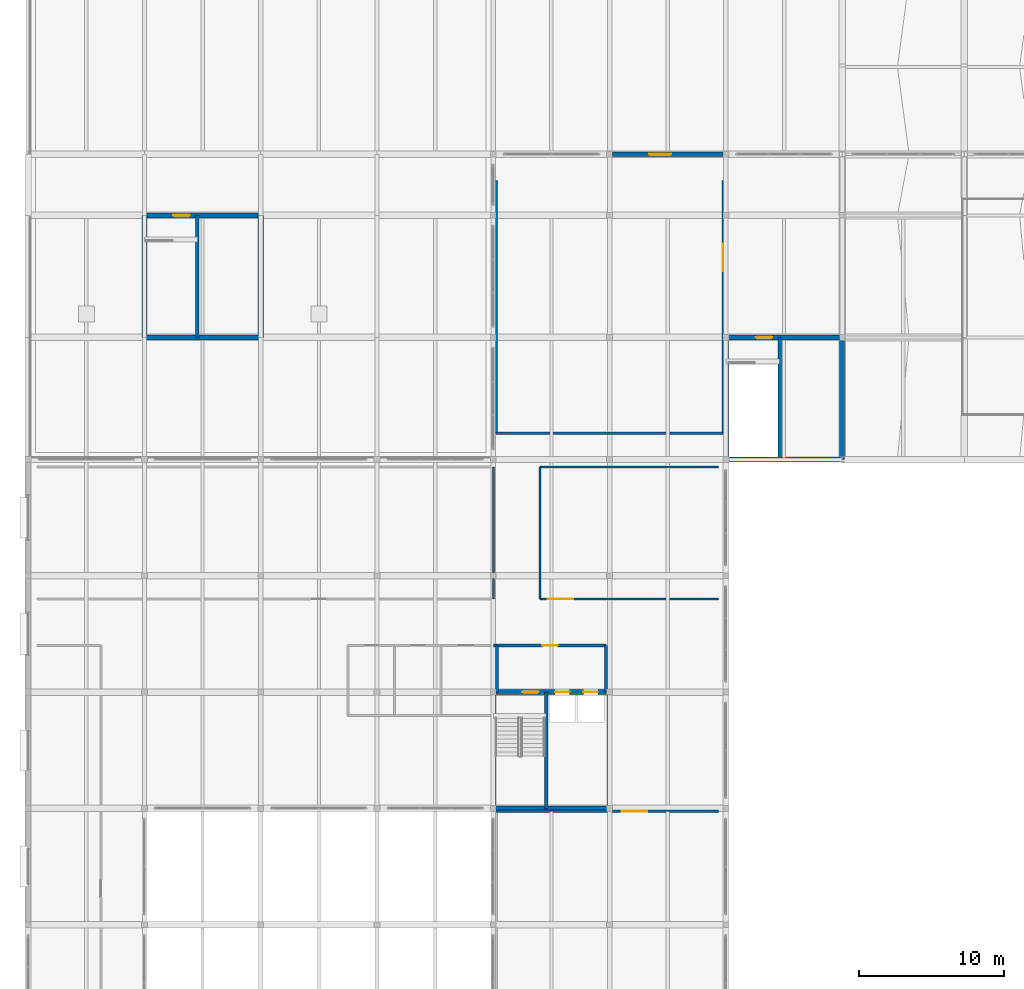
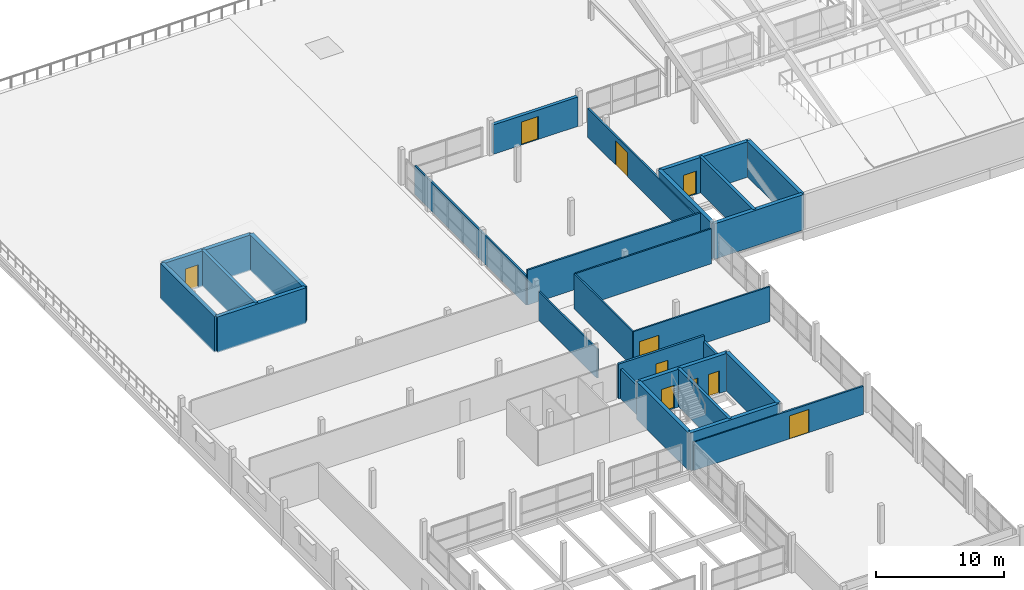
# One storey, part 41 of 51: 27 walls, 10 doors, 10 openings.
"""IFC4 building model written with IfcOpenShell, lengths in metres."""

from ifc_helpers import new_model, si_unit, direction, frame, frame_2d, origin, place, context, subcontext, project, spatial, rectangle, extrude, material, layer, layer_set, type_object, element, fill, save


model = new_model("IFC4")

# Units and contexts
model_context = context("Model", 3, precision=1e-05, world=origin(), true_north=direction((0.0, 1.0)))
body_context = subcontext(model_context, "Body", "Model", "MODEL_VIEW")
ifc_project = project(units=[si_unit("LENGTHUNIT", "METRE"), si_unit("AREAUNIT", "SQUARE_METRE"), si_unit("VOLUMEUNIT", "CUBIC_METRE"), si_unit("PLANEANGLEUNIT", "RADIAN"), si_unit("MASSUNIT", "GRAM", prefix="KILO")], contexts=[model_context])

# Site, building, storey
site_placement = place(None, origin())
site = spatial("IfcSite", under=ifc_project, at=site_placement, CompositionType="ELEMENT")
building_placement = place(site_placement, origin())
building = spatial("IfcBuilding", under=site, at=building_placement, Name="Vharandega Faculty of Natural Sciences", CompositionType="ELEMENT")
storey_placement = place(building_placement, frame((0.0, 0.0, 18.0)))
storey = spatial("IfcBuildingStorey", under=building, at=storey_placement, Name="L04", CompositionType="ELEMENT", Elevation=18.0)

# Walls
ifc_material_1 = material(Name="Concrete C40/50", Category="concrete")
ifc_layer_1 = layer(ifc_material_1, 0.35009765625, Name="Concrete C40/50")
ifc_layer_set_1 = layer_set([ifc_layer_1], Name="Concrete C40/50")
wall_type_1 = type_object("IfcWallType", Name="Core Shear Wall 350", PredefinedType="SHEAR", material=ifc_layer_set_1)
for number, where, z_axis, x_axis, name in (
    (1, (32.0, 40.0, 0.0), (0.0, 0.0, 1.0), (1.0, 0.0, 0.0), "Interior Wall CW-C3-L04-S"),
    (2, (32.0, 40.0, 0.0), (0.0, 0.0, 1.0), (0.0, 1.0, 0.0), "Interior Wall CW-C3-L04-W"),
    (3, (40.0, 40.0, 0.0), (0.0, 0.0, 1.0), (0.0, 1.0, 0.0), "Interior Wall CW-C3-L04-E"),
):
    element("IfcWall", number, at=place(storey_placement, frame(where, z_axis=z_axis, x_axis=x_axis)), inside=storey, type_object=wall_type_1, Name=name, PredefinedType="SHEAR", context=body_context, shape_type="SweptSolid", body=[
        extrude(rectangle(XDim=8.0, YDim=0.35009765625, at=frame_2d((4.0, 0.0))), origin(), (0.0, 0.0, 1.0), 3.60009765625),
    ])

# Wall, openings, doors
wall_1_placement = place(storey_placement, frame((32.0, 48.0, 0.0), z_axis=(0.0, 0.0, 1.0), x_axis=(1.0, 0.0, 0.0)))
wall_1 = element("IfcWall", 4, at=wall_1_placement, inside=storey, type_object=wall_type_1, Name="Interior Wall CW-C3-L04-N", PredefinedType="SHEAR", context=body_context, shape_type="SweptSolid", body=[
    extrude(rectangle(XDim=8.0, YDim=0.35009765625, at=frame_2d((4.0, 0.0))), origin(), (0.0, 0.0, 1.0), 3.60009765625),
])
opening_1_placement = place(wall_1_placement, frame((1.97998046875, 0.0, 0.0)))
opening_1 = element("IfcOpeningElement", 5, at=opening_1_placement, cuts=wall_1, Name="Opening FD1", PredefinedType="OPENING", context=body_context, shape_type="SweptSolid", body=[
    extrude(rectangle(XDim=1.14990234375, YDim=2.199951171875, at=frame_2d((0.574951171875, 1.10009765625))), frame((0.0, 0.18505859375, 0.0), z_axis=(0.0, -1.0, 0.0), x_axis=(1.0, 0.0, 0.0)), (0.0, 0.0, 1.0), 0.3701171875),
])
opening_2_placement = place(wall_1_placement, frame((4.25, 0.0, 0.0)))
opening_2 = element("IfcOpeningElement", 6, at=opening_2_placement, cuts=wall_1, Name="Opening LD-LP3-L04", PredefinedType="OPENING", context=body_context, shape_type="SweptSolid", body=[
    extrude(rectangle(XDim=1.0, YDim=2.14990234375, at=frame_2d((0.5, 1.074951171875))), frame((0.0, 0.18505859375, 0.0), z_axis=(0.0, -1.0, 0.0), x_axis=(1.0, 0.0, 0.0)), (0.0, 0.0, 1.0), 0.3701171875),
])
opening_3_placement = place(wall_1_placement, frame((6.199951171875, 0.0, 0.0)))
opening_3 = element("IfcOpeningElement", 7, at=opening_3_placement, cuts=wall_1, Name="Opening LD-LP4-L04", PredefinedType="OPENING", context=body_context, shape_type="SweptSolid", body=[
    extrude(rectangle(XDim=1.0, YDim=2.14990234375, at=frame_2d((0.5, 1.074951171875))), frame((0.0, 0.18505859375, 0.0), z_axis=(0.0, -1.0, 0.0), x_axis=(1.0, 0.0, 0.0)), (0.0, 0.0, 1.0), 0.3701171875),
])
ifc_material_2 = material(Name="Solid-core hardwood timber fire door", Category="wood")
door_type_1 = type_object("IfcDoorType", Name="FD1-STAIR-1150x2200", OperationType="NOTDEFINED", PredefinedType="DOOR", material=ifc_material_2)
door_1_placement = place(opening_1_placement, origin())
door_1 = element("IfcDoor", 8, at=door_1_placement, inside=storey, type_object=door_type_1, Name="Stair ST3 Fire Door FD1", OperationType="SINGLE_SWING_LEFT", OverallHeight=2.199951171875, OverallWidth=1.14990234375, PredefinedType="DOOR", context=body_context, shape_type="SweptSolid", body=[
    extrude(rectangle(XDim=1.14990234375, YDim=2.199951171875, at=frame_2d((0.574951171875, 1.10009765625))), frame((0.0, 0.02490234375, 0.0), z_axis=(0.0, -1.0, 0.0), x_axis=(1.0, 0.0, 0.0)), (0.0, 0.0, 1.0), 0.050048828125),
])
fill(opening_1, door_1)
ifc_material_3 = material(Name="Brushed stainless steel sliding landing door", Category="steel")
door_type_2 = type_object("IfcDoorType", Name="LD2-PAXLIFT-SLIDING-1000x2150", OperationType="DOUBLE_DOOR_SLIDING", PredefinedType="DOOR", material=ifc_material_3)
door_2_placement = place(opening_2_placement, origin())
door_2 = element("IfcDoor", 9, at=door_2_placement, inside=storey, type_object=door_type_2, Name="Lift Landing Door LD-LP3-L04", OperationType="DOUBLE_DOOR_SLIDING", OverallHeight=2.14990234375, OverallWidth=1.0, PredefinedType="DOOR", context=body_context, shape_type="SweptSolid", body=[
    extrude(rectangle(XDim=1.0, YDim=2.14990234375, at=frame_2d((0.5, 1.074951171875))), frame((0.0, 0.02490234375, 0.0), z_axis=(0.0, -1.0, 0.0), x_axis=(1.0, 0.0, 0.0)), (0.0, 0.0, 1.0), 0.050048828125),
])
fill(opening_2, door_2)
door_3_placement = place(opening_3_placement, origin())
door_3 = element("IfcDoor", 10, at=door_3_placement, inside=storey, type_object=door_type_2, Name="Lift Landing Door LD-LP4-L04", OperationType="DOUBLE_DOOR_SLIDING", OverallHeight=2.14990234375, OverallWidth=1.0, PredefinedType="DOOR", context=body_context, shape_type="SweptSolid", body=[
    extrude(rectangle(XDim=1.0, YDim=2.14990234375, at=frame_2d((0.5, 1.074951171875))), frame((0.0, 0.02490234375, 0.0), z_axis=(0.0, -1.0, 0.0), x_axis=(1.0, 0.0, 0.0)), (0.0, 0.0, 1.0), 0.050048828125),
])
fill(opening_3, door_3)

# Walls
wall_2_placement = place(storey_placement, frame((8.0, 72.39990234375, 0.0), z_axis=(0.0, 0.0, 1.0), x_axis=(1.0, 0.0, 0.0)))
element("IfcWall", 11, at=wall_2_placement, inside=storey, type_object=wall_type_1, Name="Interior Wall CW-C4-L04-S", PredefinedType="SHEAR", context=body_context, shape_type="SweptSolid", body=[
    extrude(rectangle(XDim=8.0, YDim=0.35009765625, at=frame_2d((4.0, 0.0))), origin(), (0.0, 0.0, 1.0), 3.39990234375),
])
for number, where, z_axis, x_axis, name in (
    (12, (8.0, 72.39990234375, 0.0), (0.0, 0.0, 1.0), (0.0, 1.0, 0.0), "Interior Wall CW-C4-L04-W"),
    (13, (16.0, 72.39990234375, 0.0), (0.0, 0.0, 1.0), (0.0, 1.0, 0.0), "Interior Wall CW-C4-L04-E"),
):
    element("IfcWall", number, at=place(storey_placement, frame(where, z_axis=z_axis, x_axis=x_axis)), inside=storey, type_object=wall_type_1, Name=name, PredefinedType="SHEAR", context=body_context, shape_type="SweptSolid", body=[
        extrude(rectangle(XDim=8.400146484375, YDim=0.35009765625, at=frame_2d((4.2001953125, 0.0))), origin(), (0.0, 0.0, 1.0), 3.39990234375),
    ])

# Wall, opening, door
wall_3_placement = place(storey_placement, frame((8.0, 80.800048828125, 0.0), z_axis=(0.0, 0.0, 1.0), x_axis=(1.0, 0.0, 0.0)))
wall_3 = element("IfcWall", 14, at=wall_3_placement, inside=storey, type_object=wall_type_1, Name="Interior Wall CW-C4-L04-N", PredefinedType="SHEAR", context=body_context, shape_type="SweptSolid", body=[
    extrude(rectangle(XDim=8.0, YDim=0.35009765625, at=frame_2d((4.0, 0.0))), origin(), (0.0, 0.0, 1.0), 3.39990234375),
])
opening_4_placement = place(wall_3_placement, frame((1.97998046875, 0.0, 0.0)))
opening_4 = element("IfcOpeningElement", 15, at=opening_4_placement, cuts=wall_3, Name="Opening FD1", PredefinedType="OPENING", context=body_context, shape_type="SweptSolid", body=[
    extrude(rectangle(XDim=1.14990234375, YDim=2.199951171875, at=frame_2d((0.574951171875, 1.10009765625))), frame((0.0, 0.18505859375, 0.0), z_axis=(0.0, -1.0, 0.0), x_axis=(1.0, 0.0, 0.0)), (0.0, 0.0, 1.0), 0.3701171875),
])
door_4_placement = place(opening_4_placement, origin())
door_4 = element("IfcDoor", 16, at=door_4_placement, inside=storey, type_object=door_type_1, Name="Stair ST4 Fire Door FD1", OperationType="SINGLE_SWING_LEFT", OverallHeight=2.199951171875, OverallWidth=1.14990234375, PredefinedType="DOOR", context=body_context, shape_type="SweptSolid", body=[
    extrude(rectangle(XDim=1.14990234375, YDim=2.199951171875, at=frame_2d((0.574951171875, 1.10009765625))), frame((0.0, 0.02490234375, 0.0), z_axis=(0.0, -1.0, 0.0), x_axis=(1.0, 0.0, 0.0)), (0.0, 0.0, 1.0), 0.050048828125),
])
fill(opening_4, door_4)

# Walls
wall_4_placement = place(storey_placement, frame((48.0, 64.0, 0.0), z_axis=(0.0, 0.0, 1.0), x_axis=(1.0, 0.0, 0.0)))
element("IfcWall", 17, at=wall_4_placement, inside=storey, type_object=wall_type_1, Name="Interior Wall CW-C5-L04-S", PredefinedType="SHEAR", context=body_context, shape_type="SweptSolid", body=[
    extrude(rectangle(XDim=8.0, YDim=0.35009765625, at=frame_2d((4.0, 0.0))), origin(), (0.0, 0.0, 1.0), 3.3798828125),
])
for number, where, z_axis, x_axis, name in (
    (18, (48.0, 64.0, 0.0), (0.0, 0.0, 1.0), (0.0, 1.0, 0.0), "Interior Wall CW-C5-L04-W"),
    (19, (56.0, 64.0, 0.0), (0.0, 0.0, 1.0), (0.0, 1.0, 0.0), "Interior Wall CW-C5-L04-E"),
):
    element("IfcWall", number, at=place(storey_placement, frame(where, z_axis=z_axis, x_axis=x_axis)), inside=storey, type_object=wall_type_1, Name=name, PredefinedType="SHEAR", context=body_context, shape_type="SweptSolid", body=[
        extrude(rectangle(XDim=8.39990234375, YDim=0.35009765625, at=frame_2d((4.199951171875, 0.0))), origin(), (0.0, 0.0, 1.0), 3.3798828125),
    ])

# Wall, opening, door
wall_5_placement = place(storey_placement, frame((48.0, 72.39990234375, 0.0), z_axis=(0.0, 0.0, 1.0), x_axis=(1.0, 0.0, 0.0)))
wall_5 = element("IfcWall", 20, at=wall_5_placement, inside=storey, type_object=wall_type_1, Name="Interior Wall CW-C5-L04-N", PredefinedType="SHEAR", context=body_context, shape_type="SweptSolid", body=[
    extrude(rectangle(XDim=8.0, YDim=0.35009765625, at=frame_2d((4.0, 0.0))), origin(), (0.0, 0.0, 1.0), 3.3798828125),
])
opening_5_placement = place(wall_5_placement, frame((2.0400390625, 0.0, 0.0)))
opening_5 = element("IfcOpeningElement", 21, at=opening_5_placement, cuts=wall_5, Name="Opening FD1", PredefinedType="OPENING", context=body_context, shape_type="SweptSolid", body=[
    extrude(rectangle(XDim=1.14990234375, YDim=2.199951171875, at=frame_2d((0.574951171875, 1.10009765625))), frame((0.0, 0.18505859375, 0.0), z_axis=(0.0, -1.0, 0.0), x_axis=(1.0, 0.0, 0.0)), (0.0, 0.0, 1.0), 0.3701171875),
])
door_5_placement = place(opening_5_placement, origin())
door_5 = element("IfcDoor", 22, at=door_5_placement, inside=storey, type_object=door_type_1, Name="Stair ST5 Fire Door FD1", OperationType="SINGLE_SWING_LEFT", OverallHeight=2.199951171875, OverallWidth=1.14990234375, PredefinedType="DOOR", context=body_context, shape_type="SweptSolid", body=[
    extrude(rectangle(XDim=1.14990234375, YDim=2.199951171875, at=frame_2d((0.574951171875, 1.10009765625))), frame((0.0, 0.02490234375, 0.0), z_axis=(0.0, -1.0, 0.0), x_axis=(1.0, 0.0, 0.0)), (0.0, 0.0, 1.0), 0.050048828125),
])
fill(opening_5, door_5)

ifc_material_4 = material(Name="Concrete C40/50", Category="concrete")
ifc_layer_2 = layer(ifc_material_4, 0.199951171875, Name="Concrete C40/50")
ifc_layer_set_2 = layer_set([ifc_layer_2], Name="Concrete C40/50")
wall_type_2 = type_object("IfcWallType", Name="Firefighting Lobby Wall 200", PredefinedType="PARTITIONING", material=ifc_layer_set_2)
wall_6_placement = place(storey_placement, frame((32.0, 51.199951171875, 0.0), z_axis=(0.0, 0.0, 1.0), x_axis=(1.0, 0.0, 0.0)))
wall_6 = element("IfcWall", 23, at=wall_6_placement, inside=storey, type_object=wall_type_2, Name="Interior Wall PW-LL-C3-L04-N", PredefinedType="PARTITIONING", context=body_context, shape_type="SweptSolid", body=[
    extrude(rectangle(XDim=7.75, YDim=0.199951171875, at=frame_2d((3.875, 0.0))), origin(), (0.0, 0.0, 1.0), 3.320068359375),
])
opening_6_placement = place(wall_6_placement, frame((3.375, 0.0, 0.0)))
opening_6 = element("IfcOpeningElement", 24, at=opening_6_placement, cuts=wall_6, Name="Opening FD4", PredefinedType="OPENING", context=body_context, shape_type="SweptSolid", body=[
    extrude(rectangle(XDim=1.050048828125, YDim=2.14990234375, at=frame_2d((0.52490234375, 1.074951171875))), frame((0.0, 0.10986328125, 0.0), z_axis=(0.0, -1.0, 0.0), x_axis=(1.0, 0.0, 0.0)), (0.0, 0.0, 1.0), 0.219970703125),
])
ifc_material_5 = material(Name="Solid-core hardwood timber fire door", Category="wood")
door_type_3 = type_object("IfcDoorType", Name="FD4-LAB-SGL-1050x2150", OperationType="NOTDEFINED", PredefinedType="DOOR", material=ifc_material_5)
door_6_placement = place(opening_6_placement, origin())
door_6 = element("IfcDoor", 25, at=door_6_placement, inside=storey, type_object=door_type_3, Name="Lift Lobby C3 Door FD4", OperationType="SINGLE_SWING_LEFT", OverallHeight=2.14990234375, OverallWidth=1.050048828125, PredefinedType="DOOR", context=body_context, shape_type="SweptSolid", body=[
    extrude(rectangle(XDim=1.050048828125, YDim=2.14990234375, at=frame_2d((0.52490234375, 1.074951171875))), frame((0.0, 0.02490234375, 0.0), z_axis=(0.0, -1.0, 0.0), x_axis=(1.0, 0.0, 0.0)), (0.0, 0.0, 1.0), 0.050048828125),
])
fill(opening_6, door_6)

# Walls
for number, where, z_axis, x_axis, name in (
    (26, (39.75, 48.0, 0.0), (0.0, 0.0, 1.0), (0.0, 1.0, 0.0), "Interior Wall PW-LL-C3-L04-E"),
    (27, (32.25, 48.0, 0.0), (0.0, 0.0, 1.0), (0.0, 1.0, 0.0), "Interior Wall PW-LL-C3-L04-W"),
):
    element("IfcWall", number, at=place(storey_placement, frame(where, z_axis=z_axis, x_axis=x_axis)), inside=storey, type_object=wall_type_2, Name=name, PredefinedType="PARTITIONING", context=body_context, shape_type="SweptSolid", body=[
        extrude(rectangle(XDim=3.199951171875, YDim=0.199951171875, at=frame_2d((1.60009765625, 0.0))), origin(), (0.0, 0.0, 1.0), 2.780029296875),
    ])

# Wall, opening, door
ifc_material_6 = material(Name="Gypsum fire-board on steel stud", Category="steel")
ifc_layer_3 = layer(ifc_material_6, 0.159912109375, Name="Gypsum fire-board on steel stud")
ifc_layer_set_3 = layer_set([ifc_layer_3], Name="Gypsum fire-board on steel stud")
wall_type_3 = type_object("IfcWallType", Name="Laboratory Fire Corridor Wall 160", PredefinedType="PARTITIONING", material=ifc_layer_set_3)
wall_7_placement = place(storey_placement, frame((32.199951171875, 39.800048828125, 0.0), z_axis=(0.0, 0.0, 1.0), x_axis=(1.0, 0.0, 0.0)))
wall_7 = element("IfcWall", 28, at=wall_7_placement, inside=storey, type_object=wall_type_3, Name="Interior Wall PW-L04-R02N", PredefinedType="PARTITIONING", context=body_context, shape_type="SweptSolid", body=[
    extrude(rectangle(XDim=15.300048828125, YDim=0.159912109375, at=frame_2d((7.64990234375, 0.0))), origin(), (0.0, 0.0, 1.0), 2.699951171875),
])
opening_7_placement = place(wall_7_placement, frame((8.623779296875, 0.0, 0.0)))
opening_7 = element("IfcOpeningElement", 29, at=opening_7_placement, cuts=wall_7, Name="Opening D0298", PredefinedType="OPENING", context=body_context, shape_type="SweptSolid", body=[
    extrude(rectangle(XDim=1.75, YDim=2.199951171875, at=frame_2d((0.875, 1.10009765625))), frame((0.0, 0.08984375, 0.0), z_axis=(0.0, -1.0, 0.0), x_axis=(1.0, 0.0, 0.0)), (0.0, 0.0, 1.0), 0.179931640625),
])
ifc_material_7 = material(Name="Solid-core hardwood timber fire door", Category="wood")
door_type_4 = type_object("IfcDoorType", Name="ID09-HERBARIUM-DBL-1750x2200", OperationType="DOUBLE_DOOR_SINGLE_SWING", PredefinedType="DOOR", material=ifc_material_7)
door_7_placement = place(opening_7_placement, origin())
door_7 = element("IfcDoor", 30, at=door_7_placement, inside=storey, type_object=door_type_4, Name="National Herbarium Vascular Plant Collection Hall Door D0298", OperationType="DOUBLE_DOOR_SINGLE_SWING", OverallHeight=2.199951171875, OverallWidth=1.75, PredefinedType="DOOR", context=body_context, shape_type="SweptSolid", body=[
    extrude(rectangle(XDim=1.75, YDim=2.199951171875, at=frame_2d((0.875, 1.10009765625))), frame((0.0, 0.02490234375, 0.0), z_axis=(0.0, -1.0, 0.0), x_axis=(1.0, 0.0, 0.0)), (0.0, 0.0, 1.0), 0.050048828125),
])
fill(opening_7, door_7)

# Walls
wall_8_placement = place(storey_placement, frame((32.199951171875, 65.800048828125, 0.0), z_axis=(0.0, 0.0, 1.0), x_axis=(1.0, 0.0, 0.0)))
element("IfcWall", 31, at=wall_8_placement, inside=storey, type_object=wall_type_3, Name="Interior Wall PW-L04-R08S", PredefinedType="PARTITIONING", context=body_context, shape_type="SweptSolid", body=[
    extrude(rectangle(XDim=15.60009765625, YDim=0.159912109375, at=frame_2d((7.800048828125, 0.0))), origin(), (0.0, 0.0, 1.0), 3.340087890625),
])
wall_9_placement = place(storey_placement, frame((32.199951171875, 65.800048828125, 0.0), z_axis=(0.0, 0.0, 1.0), x_axis=(0.0, 1.0, 0.0)))
element("IfcWall", 32, at=wall_9_placement, inside=storey, type_object=wall_type_3, Name="Interior Wall PW-L04-R08W", PredefinedType="PARTITIONING", context=body_context, shape_type="SweptSolid", body=[
    extrude(rectangle(XDim=17.39990234375, YDim=0.159912109375, at=frame_2d((8.699951171875, 0.0))), origin(), (0.0, 0.0, 1.0), 2.760009765625),
])

# Wall, opening, door
wall_10_placement = place(storey_placement, frame((47.800048828125, 65.800048828125, 0.0), z_axis=(0.0, 0.0, 1.0), x_axis=(0.0, 1.0, 0.0)))
wall_10 = element("IfcWall", 33, at=wall_10_placement, inside=storey, type_object=wall_type_3, Name="Interior Wall PW-L04-R08E", PredefinedType="PARTITIONING", context=body_context, shape_type="SweptSolid", body=[
    extrude(rectangle(XDim=17.39990234375, YDim=0.159912109375, at=frame_2d((8.699951171875, 0.0))), origin(), (0.0, 0.0, 1.0), 2.760009765625),
])
opening_8_placement = place(wall_10_placement, frame((11.14990234375, 0.0, 0.0)))
opening_8 = element("IfcOpeningElement", 34, at=opening_8_placement, cuts=wall_10, Name="Opening D0304", PredefinedType="OPENING", context=body_context, shape_type="SweptSolid", body=[
    extrude(rectangle(XDim=1.89990234375, YDim=2.300048828125, at=frame_2d((0.949951171875, 1.14990234375))), frame((0.0, 0.08984375, 0.0), z_axis=(0.0, -1.0, 0.0), x_axis=(1.0, 0.0, 0.0)), (0.0, 0.0, 1.0), 0.179931640625),
])
ifc_material_8 = material(Name="Solid-core hardwood timber fire door", Category="wood")
door_type_5 = type_object("IfcDoorType", Name="ID08-COMMONS-DBL-1900x2300", OperationType="DOUBLE_DOOR_SINGLE_SWING", PredefinedType="DOOR", material=ifc_material_8)
door_8_placement = place(opening_8_placement, origin())
door_8 = element("IfcDoor", 35, at=door_8_placement, inside=storey, type_object=door_type_5, Name="Atrium Top Sky-Walk Lounge Door D0304", OperationType="DOUBLE_DOOR_SINGLE_SWING", OverallHeight=2.300048828125, OverallWidth=1.89990234375, PredefinedType="DOOR", context=body_context, shape_type="SweptSolid", body=[
    extrude(rectangle(XDim=1.89990234375, YDim=2.300048828125, at=frame_2d((0.949951171875, 1.14990234375))), frame((0.0, 0.02490234375, 0.0), z_axis=(0.0, -1.0, 0.0), x_axis=(1.0, 0.0, 0.0)), (0.0, 0.0, 1.0), 0.050048828125),
])
fill(opening_8, door_8)

# Walls
ifc_material_9 = material(Name="Concrete C40/50", Category="concrete")
ifc_layer_4 = layer(ifc_material_9, 0.260009765625, Name="Concrete C40/50")
ifc_layer_set_4 = layer_set([ifc_layer_4], Name="Concrete C40/50")
wall_type_4 = type_object("IfcWallType", Name="Lift Shaft Shear Wall 260", PredefinedType="SHEAR", material=ifc_layer_set_4)
wall_11_placement = place(storey_placement, frame((35.639892578125, 40.0, 0.0), z_axis=(0.0, 0.0, 1.0), x_axis=(0.0, 1.0, 0.0)))
element("IfcWall", 36, at=wall_11_placement, inside=storey, type_object=wall_type_4, Name="Interior Wall CW-C3-L04-DIV", PredefinedType="SHEAR", context=body_context, shape_type="SweptSolid", body=[
    extrude(rectangle(XDim=8.0, YDim=0.260009765625, at=frame_2d((4.0, 0.0))), origin(), (0.0, 0.0, 1.0), 3.60009765625),
])
wall_12_placement = place(storey_placement, frame((11.639892578125, 72.39990234375, 0.0), z_axis=(0.0, 0.0, 1.0), x_axis=(0.0, 1.0, 0.0)))
element("IfcWall", 37, at=wall_12_placement, inside=storey, type_object=wall_type_4, Name="Interior Wall CW-C4-L04-DIV", PredefinedType="SHEAR", context=body_context, shape_type="SweptSolid", body=[
    extrude(rectangle(XDim=8.400146484375, YDim=0.260009765625, at=frame_2d((4.2001953125, 0.0))), origin(), (0.0, 0.0, 1.0), 3.39990234375),
])
wall_13_placement = place(storey_placement, frame((51.699951171875, 64.0, 0.0), z_axis=(0.0, 0.0, 1.0), x_axis=(0.0, 1.0, 0.0)))
element("IfcWall", 38, at=wall_13_placement, inside=storey, type_object=wall_type_4, Name="Interior Wall CW-C5-L04-DIV", PredefinedType="SHEAR", context=body_context, shape_type="SweptSolid", body=[
    extrude(rectangle(XDim=8.39990234375, YDim=0.260009765625, at=frame_2d((4.199951171875, 0.0))), origin(), (0.0, 0.0, 1.0), 3.3798828125),
])

# Wall, opening, door
ifc_material_10 = material(Name="Precast concrete C40/50", Category="concrete")
ifc_layer_5 = layer(ifc_material_10, 0.300048828125, Name="Precast concrete C40/50")
ifc_layer_set_5 = layer_set([ifc_layer_5], Name="Precast concrete C40/50")
wall_type_5 = type_object("IfcWallType", Name="Polychrome Precast Facade Wall 300", PredefinedType="SOLIDWALL", material=ifc_layer_set_5)
wall_14_placement = place(storey_placement, frame((40.197998046875, 85.0, 0.0), z_axis=(0.0, 0.0, 1.0), x_axis=(1.0, 0.0, 0.0)))
wall_14 = element("IfcWall", 39, at=wall_14_placement, inside=storey, type_object=wall_type_5, Name="Exterior Wall EW-L04-V3TR", PredefinedType="SOLIDWALL", context=body_context, shape_type="SweptSolid", body=[
    extrude(rectangle(XDim=7.60400390625, YDim=0.300048828125, at=frame_2d((3.802001953125, 0.0))), origin(), (0.0, 0.0, 1.0), 2.800048828125),
])
opening_9_placement = place(wall_14_placement, frame((2.52197265625, 0.0, 0.0)))
opening_9 = element("IfcOpeningElement", 40, at=opening_9_placement, cuts=wall_14, Name="Opening TD-L04N", PredefinedType="OPENING", context=body_context, shape_type="SweptSolid", body=[
    extrude(rectangle(XDim=1.52001953125, YDim=2.199951171875, at=frame_2d((0.760009765625, 1.10009765625))), frame((0.0, 0.16015625, 0.0), z_axis=(0.0, -1.0, 0.0), x_axis=(1.0, 0.0, 0.0)), (0.0, 0.0, 1.0), 0.320068359375),
])
ifc_material_11 = material(Name="Thermally broken glazed aluminium door", Category="aluminium")
door_type_6 = type_object("IfcDoorType", Name="EXT-TERR-DBL-1520x2200", OperationType="DOUBLE_DOOR_SINGLE_SWING", PredefinedType="DOOR", material=ifc_material_11)
door_9_placement = place(opening_9_placement, origin())
door_9 = element("IfcDoor", 41, at=door_9_placement, inside=storey, type_object=door_type_6, Name="North Roof Garden Access Door TD-L04N", OperationType="DOUBLE_DOOR_SINGLE_SWING", OverallHeight=2.199951171875, OverallWidth=1.52001953125, PredefinedType="DOOR", context=body_context, shape_type="SweptSolid", body=[
    extrude(rectangle(XDim=1.52001953125, YDim=2.199951171875, at=frame_2d((0.760009765625, 1.10009765625))), frame((0.0, 0.02490234375, 0.0), z_axis=(0.0, -1.0, 0.0), x_axis=(1.0, 0.0, 0.0)), (0.0, 0.0, 1.0), 0.050048828125),
])
fill(opening_9, door_9)

# Wall
ifc_material_12 = material(Name="Gypsum acoustic partition", Category="gypsum")
ifc_layer_6 = layer(ifc_material_12, 0.139892578125, Name="Gypsum acoustic partition")
ifc_layer_set_6 = layer_set([ifc_layer_6], Name="Gypsum acoustic partition")
wall_type_6 = type_object("IfcWallType", Name="Room Partition Wall 140", PredefinedType="PARTITIONING", material=ifc_layer_set_6)
wall_15_placement = place(storey_placement, frame((32.0, 54.39990234375, 0.0), z_axis=(0.0, 0.0, 1.0), x_axis=(0.0, 1.0, 0.0)))
element("IfcWall", 42, at=wall_15_placement, inside=storey, type_object=wall_type_6, Name="Interior Wall PW-L04-R03E", PredefinedType="PARTITIONING", context=body_context, shape_type="SweptSolid", body=[
    extrude(rectangle(XDim=9.10009765625, YDim=0.139892578125, at=frame_2d((4.550048828125, 0.0))), origin(), (0.0, 0.0, 1.0), 2.780029296875),
])

# Wall, opening, door
wall_16_placement = place(storey_placement, frame((35.199951171875, 54.39990234375, 0.0), z_axis=(0.0, 0.0, 1.0), x_axis=(1.0, 0.0, 0.0)))
wall_16 = element("IfcWall", 43, at=wall_16_placement, inside=storey, type_object=wall_type_6, Name="Interior Wall PW-L04-R04S", PredefinedType="PARTITIONING", context=body_context, shape_type="SweptSolid", body=[
    extrude(rectangle(XDim=12.300048828125, YDim=0.139892578125, at=frame_2d((6.14990234375, 0.0))), origin(), (0.0, 0.0, 1.0), 3.340087890625),
])
opening_10_placement = place(wall_16_placement, frame((0.550048828125, 0.0, 0.0)))
opening_10 = element("IfcOpeningElement", 44, at=opening_10_placement, cuts=wall_16, Name="Opening D0300", PredefinedType="OPENING", context=body_context, shape_type="SweptSolid", body=[
    extrude(rectangle(XDim=1.75, YDim=2.199951171875, at=frame_2d((0.875, 1.10009765625))), frame((0.0, 0.080078125, 0.0), z_axis=(0.0, -1.0, 0.0), x_axis=(1.0, 0.0, 0.0)), (0.0, 0.0, 1.0), 0.159912109375),
])
door_10_placement = place(opening_10_placement, origin())
door_10 = element("IfcDoor", 45, at=door_10_placement, inside=storey, type_object=door_type_4, Name="Graduate Seminar Room 402 Door D0300", OperationType="DOUBLE_DOOR_SINGLE_SWING", OverallHeight=2.199951171875, OverallWidth=1.75, PredefinedType="DOOR", context=body_context, shape_type="SweptSolid", body=[
    extrude(rectangle(XDim=1.75, YDim=2.199951171875, at=frame_2d((0.875, 1.10009765625))), frame((0.0, 0.02490234375, 0.0), z_axis=(0.0, -1.0, 0.0), x_axis=(1.0, 0.0, 0.0)), (0.0, 0.0, 1.0), 0.050048828125),
])
fill(opening_10, door_10)

# Walls
wall_17_placement = place(storey_placement, frame((35.199951171875, 63.5, 0.0), z_axis=(0.0, 0.0, 1.0), x_axis=(1.0, 0.0, 0.0)))
element("IfcWall", 46, at=wall_17_placement, inside=storey, type_object=wall_type_6, Name="Interior Wall PW-L04-R04N", PredefinedType="PARTITIONING", context=body_context, shape_type="SweptSolid", body=[
    extrude(rectangle(XDim=12.300048828125, YDim=0.139892578125, at=frame_2d((6.14990234375, 0.0))), origin(), (0.0, 0.0, 1.0), 3.340087890625),
])
wall_18_placement = place(storey_placement, frame((35.199951171875, 54.39990234375, 0.0), z_axis=(0.0, 0.0, 1.0), x_axis=(0.0, 1.0, 0.0)))
element("IfcWall", 47, at=wall_18_placement, inside=storey, type_object=wall_type_6, Name="Interior Wall PW-L04-R04W", PredefinedType="PARTITIONING", context=body_context, shape_type="SweptSolid", body=[
    extrude(rectangle(XDim=9.10009765625, YDim=0.139892578125, at=frame_2d((4.550048828125, 0.0))), origin(), (0.0, 0.0, 1.0), 3.340087890625),
])

save(model, "model.ifc")
